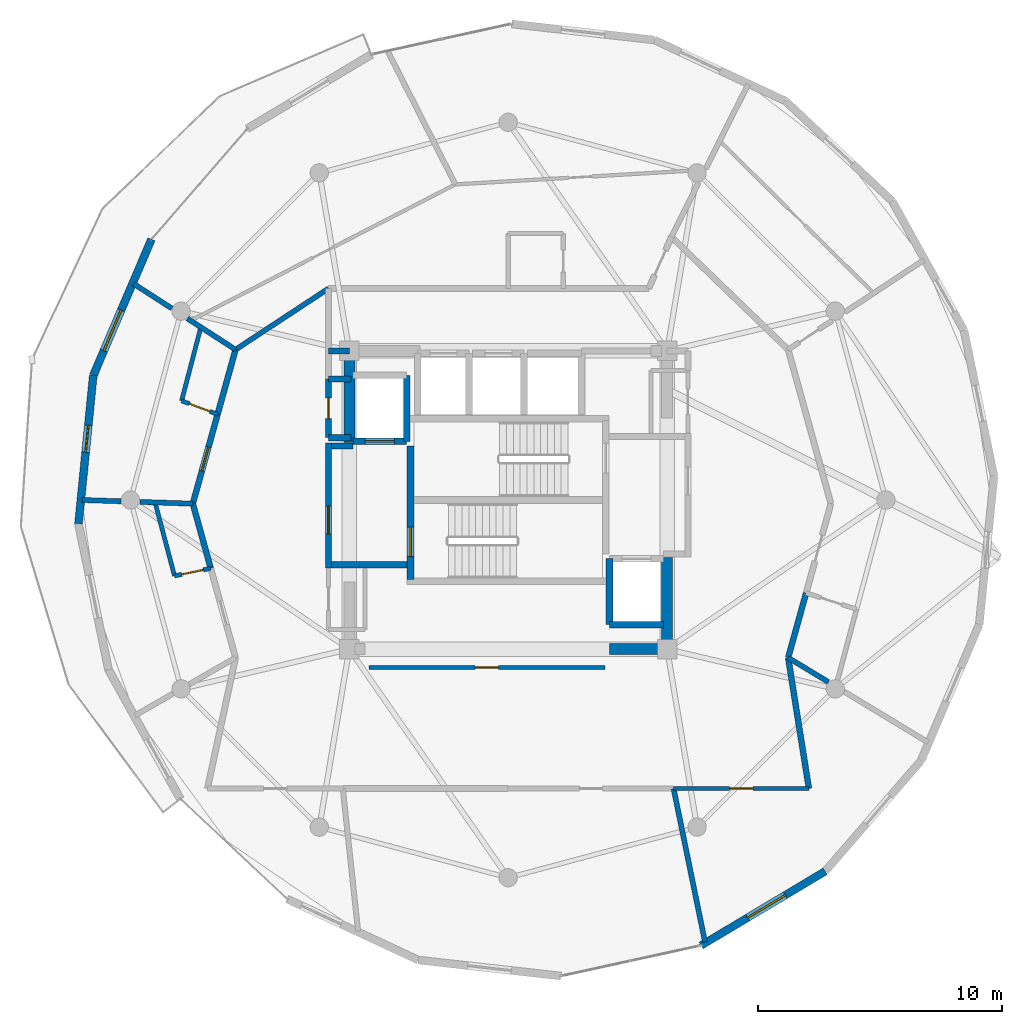
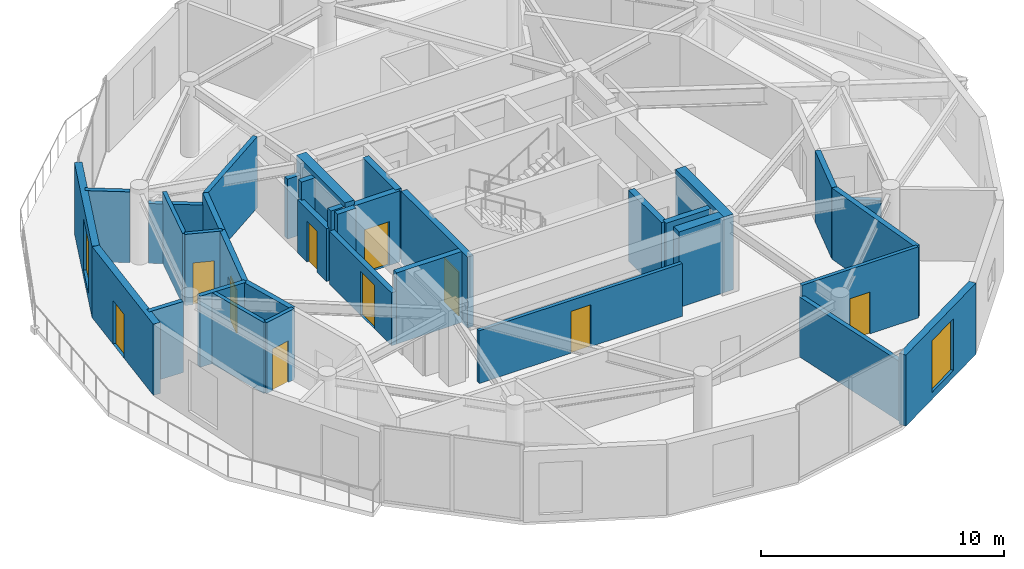
# One storey, part 11 of 15: 36 walls, 10 doors, 2 windows, 12 openings.
"""IFC4 building model written with IfcOpenShell, lengths in metres."""

from ifc_helpers import new_model, si_unit, direction, frame, frame_2d, origin, place, context, subcontext, project, spatial, rectangle, extrude, material, layer, layer_set, type_object, element, fill, save


model = new_model("IFC4")

# Units and contexts
model_context = context("Model", 3, precision=1e-05, world=origin(), true_north=direction((0.0, 1.0)))
body_context = subcontext(model_context, "Body", "Model", "MODEL_VIEW")
ifc_project = project(units=[si_unit("LENGTHUNIT", "METRE"), si_unit("AREAUNIT", "SQUARE_METRE"), si_unit("VOLUMEUNIT", "CUBIC_METRE"), si_unit("PLANEANGLEUNIT", "RADIAN"), si_unit("MASSUNIT", "GRAM", prefix="KILO")], contexts=[model_context])

# Site, building, storey
site_placement = place(None, origin())
site = spatial("IfcSite", under=ifc_project, at=site_placement, CompositionType="ELEMENT")
building_placement = place(site_placement, origin())
building = spatial("IfcBuilding", under=site, at=building_placement, Name="Solvirekh Grand Hotel", CompositionType="ELEMENT")
storey_placement = place(building_placement, frame((0.0, 0.0, 270.60009765625)))
storey = spatial("IfcBuildingStorey", under=building, at=storey_placement, Name="L70", CompositionType="ELEMENT", Elevation=270.60009765625)

# Wall, opening, door
ifc_material_1 = material(Name="Concrete C40/50", Category="concrete")
ifc_layer_1 = layer(ifc_material_1, 0.280029296875)
ifc_layer_set_1 = layer_set([ifc_layer_1], Name="Concrete C40/50")
wall_type_1 = type_object("IfcWallType", Name="CoreShaftWall_RC280", PredefinedType="SOLIDWALL", material=ifc_layer_set_1)
wall_1_placement = place(storey_placement, frame((-6.35009765625, 2.39990234375, 0.0), z_axis=(0.0, 0.0, 1.0), x_axis=(1.0, 0.0, 0.0)))
wall_1 = element("IfcWall", 1, at=wall_1_placement, inside=storey, type_object=wall_type_1, Name="L70 FL-1 hoistway S wall", PredefinedType="SOLIDWALL", context=body_context, shape_type="SweptSolid", body=[
    extrude(rectangle(XDim=2.2001953125, YDim=0.280029296875, at=frame_2d((1.10009765625, 0.0))), origin(), (0.0, 0.0, 1.0), 3.56982421875),
])
opening_1_placement = place(wall_1_placement, frame((0.5, 0.0, 0.0)))
opening_1 = element("IfcOpeningElement", 2, at=opening_1_placement, cuts=wall_1, Name="Opening LD02", PredefinedType="OPENING", context=body_context, shape_type="SweptSolid", body=[
    extrude(rectangle(XDim=1.199951171875, YDim=2.199951171875, at=frame_2d((0.60009765625, 1.10009765625))), frame((0.0, 0.14990234375, 0.0), z_axis=(0.0, -1.0, 0.0), x_axis=(1.0, 0.0, 0.0)), (0.0, 0.0, 1.0), 0.300048828125),
])
ifc_material_2 = material(Name="Fire-Rated Steel Door Assembly", Category="steel")
door_type_1 = type_object("IfcDoorType", Name="Door_LiftFF_1200X2200", OperationType="SLIDING_TO_LEFT", PredefinedType="DOOR", material=ifc_material_2)
door_1_placement = place(opening_1_placement, origin())
door_1 = element("IfcDoor", 3, at=door_1_placement, inside=storey, type_object=door_type_1, Name="L70 FL-1 sliding lift landing door", OperationType="SLIDING_TO_LEFT", OverallHeight=2.199951171875, OverallWidth=1.199951171875, PredefinedType="DOOR", context=body_context, shape_type="SweptSolid", body=[
    extrude(rectangle(XDim=1.199951171875, YDim=2.199951171875, at=frame_2d((0.60009765625, 1.10009765625))), frame((0.0, 0.02490234375, 0.0), z_axis=(0.0, -1.0, 0.0), x_axis=(1.0, 0.0, 0.0)), (0.0, 0.0, 1.0), 0.050048828125),
])
fill(opening_1, door_1)

# Walls
wall_2_placement = place(storey_placement, frame((-4.14990234375, 2.39990234375, 0.0), z_axis=(0.0, 0.0, 1.0), x_axis=(0.0, 1.0, 0.0)))
element("IfcWall", 4, at=wall_2_placement, inside=storey, type_object=wall_type_1, Name="L70 FL-1 hoistway E wall", PredefinedType="SOLIDWALL", context=body_context, shape_type="SweptSolid", body=[
    extrude(rectangle(XDim=2.7001953125, YDim=0.280029296875, at=frame_2d((1.35009765625, 0.0))), origin(), (0.0, 0.0, 1.0), 3.56982421875),
])
wall_3_placement = place(storey_placement, frame((4.14990234375, -5.10009765625, 0.0), z_axis=(0.0, 0.0, 1.0), x_axis=(1.0, 0.0, 0.0)))
element("IfcWall", 5, at=wall_3_placement, inside=storey, type_object=wall_type_1, Name="L70 FL-2 hoistway S wall", PredefinedType="SOLIDWALL", context=body_context, shape_type="SweptSolid", body=[
    extrude(rectangle(XDim=2.2001953125, YDim=0.280029296875, at=frame_2d((1.10009765625, 0.0))), origin(), (0.0, 0.0, 1.0), 3.56982421875),
])
wall_4_placement = place(storey_placement, frame((4.14990234375, -2.39990234375, 0.0), z_axis=(0.0, 0.0, 1.0), x_axis=(0.0, -1.0, 0.0)))
element("IfcWall", 6, at=wall_4_placement, inside=storey, type_object=wall_type_1, Name="L70 FL-2 hoistway W wall", PredefinedType="SOLIDWALL", context=body_context, shape_type="SweptSolid", body=[
    extrude(rectangle(XDim=2.7001953125, YDim=0.280029296875, at=frame_2d((1.35009765625, 0.0))), origin(), (0.0, 0.0, 1.0), 3.56982421875),
])

# Wall, opening, door
wall_5_placement = place(storey_placement, frame((-3.989990234375, -3.25, 0.0), z_axis=(0.0, 0.0, 1.0), x_axis=(0.0, 1.0, 0.0)))
wall_5 = element("IfcWall", 7, at=wall_5_placement, inside=storey, type_object=wall_type_1, Name="L70 west stair landing enclosure wall", PredefinedType="SOLIDWALL", context=body_context, shape_type="SweptSolid", body=[
    extrude(rectangle(XDim=5.4599609375, YDim=0.280029296875, at=frame_2d((2.72998046875, 0.0))), origin(), (0.0, 0.0, 1.0), 3.56982421875),
])
opening_2_placement = place(wall_5_placement, frame((0.93701171875, 0.0, 0.0)))
opening_2 = element("IfcOpeningElement", 8, at=opening_2_placement, cuts=wall_5, Name="Opening D05", PredefinedType="OPENING", context=body_context, shape_type="SweptSolid", body=[
    extrude(rectangle(XDim=1.199951171875, YDim=2.199951171875, at=frame_2d((0.60009765625, 1.10009765625))), frame((0.0, 0.14990234375, 0.0), z_axis=(0.0, -1.0, 0.0), x_axis=(1.0, 0.0, 0.0)), (0.0, 0.0, 1.0), 0.300048828125),
])
door_type_2 = type_object("IfcDoorType", Name="Door_StairCore_1200X2200", OperationType="NOTDEFINED", PredefinedType="DOOR", material=ifc_material_2)
door_2_placement = place(opening_2_placement, origin())
door_2 = element("IfcDoor", 9, at=door_2_placement, inside=storey, type_object=door_type_2, Name="L70 exit stair ST-1 fire door", OperationType="SINGLE_SWING_LEFT", OverallHeight=2.199951171875, OverallWidth=1.199951171875, PredefinedType="DOOR", context=body_context, shape_type="SweptSolid", body=[
    extrude(rectangle(XDim=1.199951171875, YDim=2.199951171875, at=frame_2d((0.60009765625, 1.10009765625))), frame((0.0, 0.02490234375, 0.0), z_axis=(0.0, -1.0, 0.0), x_axis=(1.0, 0.0, 0.0)), (0.0, 0.0, 1.0), 0.050048828125),
])
fill(opening_2, door_2)

# Walls
ifc_material_3 = material(Name="Concrete C50/60", Category="concrete")
ifc_layer_2 = layer(ifc_material_3, 0.449951171875)
ifc_layer_set_2 = layer_set([ifc_layer_2], Name="Concrete C50/60")
wall_type_2 = type_object("IfcWallType", Name="CoreWall_RC450", PredefinedType="SHEAR", material=ifc_layer_set_2)
wall_6_placement = place(storey_placement, frame((4.14990234375, -6.10009765625, 0.0), z_axis=(0.0, 0.0, 1.0), x_axis=(1.0, 0.0, 0.0)))
element("IfcWall", 10, at=wall_6_placement, inside=storey, type_object=wall_type_2, Name="L70 core corner shear wall SE-S", PredefinedType="SHEAR", context=body_context, shape_type="SweptSolid", body=[
    extrude(rectangle(XDim=2.125, YDim=0.449951171875, at=frame_2d((1.0625, 0.0))), origin(), (0.0, 0.0, 1.0), 3.7998046875),
])
for number, where, z_axis, x_axis, name in (
    (11, (-6.5, 2.35009765625, 0.0), (0.0, 0.0, 1.0), (0.0, 1.0, 0.0), "L70 core corner shear wall WN-W"),
    (12, (6.5, -6.324951171875, 0.0), (0.0, 0.0, 1.0), (0.0, 1.0, 0.0), "L70 core corner shear wall ES-E"),
):
    element("IfcWall", number, at=place(storey_placement, frame(where, z_axis=z_axis, x_axis=x_axis)), inside=storey, type_object=wall_type_2, Name=name, PredefinedType="SHEAR", context=body_context, shape_type="SweptSolid", body=[
        extrude(rectangle(XDim=3.974853515625, YDim=0.449951171875, at=frame_2d((1.9873046875, 0.0))), origin(), (0.0, 0.0, 1.0), 3.7998046875),
    ])

# Wall, opening, window
ifc_material_4 = material(Name="Precast concrete C45/55", Category="concrete")
ifc_layer_3 = layer(ifc_material_4, 0.320068359375)
ifc_layer_set_3 = layer_set([ifc_layer_3], Name="Precast concrete C45/55")
wall_type_3 = type_object("IfcWallType", Name="ExtLobbyWall_RC320", PredefinedType="SOLIDWALL", material=ifc_layer_set_3)
wall_7_placement = place(storey_placement, frame((12.970947265625, -15.18603515625, 0.0), z_axis=(0.0, 0.0, 1.0), x_axis=(-0.858256729209, -0.513220602439, 0.0)))
wall_7 = element("IfcWall", 13, at=wall_7_placement, inside=storey, type_object=wall_type_3, Name="L70 exterior structural wall chord 2", PredefinedType="SOLIDWALL", context=body_context, shape_type="SweptSolid", body=[
    extrude(rectangle(XDim=5.915283203125, YDim=0.320068359375, at=frame_2d((2.95751953125, 0.0))), origin(), (0.0, 0.0, 1.0), 3.56982421875),
])
opening_3_placement = place(wall_7_placement, frame((1.904052734375, 0.0, 0.35009765625)))
opening_3 = element("IfcOpeningElement", 14, at=opening_3_placement, cuts=wall_7, Name="Opening W02", PredefinedType="OPENING", context=body_context, shape_type="SweptSolid", body=[
    extrude(rectangle(XDim=1.800048828125, YDim=2.60009765625, at=frame_2d((0.89990234375, 1.300048828125))), frame((0.0, 0.169921875, 0.0), z_axis=(0.0, -1.0, 0.0), x_axis=(1.0, 0.0, 0.0)), (0.0, 0.0, 1.0), 0.340087890625),
])
ifc_material_5 = material(Name="Low-E Tinted Bronze Laminated Glass", Category="aluminium")
window_type = type_object("IfcWindowType", Name="Win_LobbyExt_1800X2600", PartitioningType="SINGLE_PANEL", PredefinedType="WINDOW", material=ifc_material_5)
window_1_placement = place(opening_3_placement, origin())
window_1 = element("IfcWindow", 15, at=window_1_placement, inside=storey, type_object=window_type, Name="L70 panoramic bronze-framed window 2", OverallHeight=2.60009765625, OverallWidth=1.800048828125, PartitioningType="SINGLE_PANEL", PredefinedType="WINDOW", context=body_context, shape_type="SweptSolid", body=[
    extrude(rectangle(XDim=1.800048828125, YDim=2.60009765625, at=frame_2d((0.89990234375, 1.300048828125))), frame((0.0, 0.030029296875, 0.0), z_axis=(0.0, -1.0, 0.0), x_axis=(1.0, 0.0, 0.0)), (0.0, 0.0, 1.0), 0.06005859375),
])
fill(opening_3, window_1)

wall_8_placement = place(storey_placement, frame((-16.969970703125, 5.096923828125, 0.0), z_axis=(0.0, 0.0, 1.0), x_axis=(0.392999104836, 0.919538853773, 0.0)))
wall_8 = element("IfcWall", 16, at=wall_8_placement, inside=storey, type_object=wall_type_3, Name="L70 exterior structural wall chord 14", PredefinedType="SOLIDWALL", context=body_context, shape_type="SweptSolid", body=[
    extrude(rectangle(XDim=6.05322265625, YDim=0.320068359375, at=frame_2d((3.026611328125, 0.0))), origin(), (0.0, 0.0, 1.0), 3.56982421875),
])
opening_4_placement = place(wall_8_placement, frame((1.097900390625, 0.0, 0.35009765625)))
opening_4 = element("IfcOpeningElement", 17, at=opening_4_placement, cuts=wall_8, Name="Opening W02", PredefinedType="OPENING", context=body_context, shape_type="SweptSolid", body=[
    extrude(rectangle(XDim=1.800048828125, YDim=2.60009765625, at=frame_2d((0.89990234375, 1.300048828125))), frame((0.0, 0.169921875, 0.0), z_axis=(0.0, -1.0, 0.0), x_axis=(1.0, 0.0, 0.0)), (0.0, 0.0, 1.0), 0.340087890625),
])
window_2_placement = place(opening_4_placement, origin())
window_2 = element("IfcWindow", 18, at=window_2_placement, inside=storey, type_object=window_type, Name="L70 panoramic bronze-framed window 14", OverallHeight=2.60009765625, OverallWidth=1.800048828125, PartitioningType="SINGLE_PANEL", PredefinedType="WINDOW", context=body_context, shape_type="SweptSolid", body=[
    extrude(rectangle(XDim=1.800048828125, YDim=2.60009765625, at=frame_2d((0.89990234375, 1.300048828125))), frame((0.0, 0.030029296875, 0.0), z_axis=(0.0, -1.0, 0.0), x_axis=(1.0, 0.0, 0.0)), (0.0, 0.0, 1.0), 0.06005859375),
])
fill(opening_4, window_2)

# Wall, opening, door
wall_9_placement = place(storey_placement, frame((-17.574951171875, -0.968017578125, 0.0), z_axis=(0.0, 0.0, 1.0), x_axis=(0.09925782999, 0.995061748429, 0.0)))
wall_9 = element("IfcWall", 19, at=wall_9_placement, inside=storey, type_object=wall_type_3, Name="L70 exterior structural wall chord 15", PredefinedType="SOLIDWALL", context=body_context, shape_type="SweptSolid", body=[
    extrude(rectangle(XDim=6.094970703125, YDim=0.320068359375, at=frame_2d((3.04736328125, 0.0))), origin(), (0.0, 0.0, 1.0), 3.56982421875),
])
opening_5_placement = place(wall_9_placement, frame((2.93603515625, 0.0, 0.0)))
opening_5 = element("IfcOpeningElement", 20, at=opening_5_placement, cuts=wall_9, Name="Opening D03", PredefinedType="OPENING", context=body_context, shape_type="SweptSolid", body=[
    extrude(rectangle(XDim=1.10009765625, YDim=2.199951171875, at=frame_2d((0.550048828125, 1.10009765625))), frame((0.0, 0.169921875, 0.0), z_axis=(0.0, -1.0, 0.0), x_axis=(1.0, 0.0, 0.0)), (0.0, 0.0, 1.0), 0.340087890625),
])
ifc_material_6 = material(Name="Anodized Bronze Aluminium 6063-T6", Category="aluminium")
door_type_3 = type_object("IfcDoorType", Name="Door_ExtBalcony_1100X2200", OperationType="NOTDEFINED", PredefinedType="DOOR", material=ifc_material_6)
door_3_placement = place(opening_5_placement, origin())
door_3 = element("IfcDoor", 21, at=door_3_placement, inside=storey, type_object=door_type_3, Name="L70 Crescent balcony glazed door (15)", OperationType="SINGLE_SWING_RIGHT", OverallHeight=2.199951171875, OverallWidth=1.10009765625, PredefinedType="DOOR", context=body_context, shape_type="SweptSolid", body=[
    extrude(rectangle(XDim=1.10009765625, YDim=2.199951171875, at=frame_2d((0.550048828125, 1.10009765625))), frame((0.0, 0.02490234375, 0.0), z_axis=(0.0, -1.0, 0.0), x_axis=(1.0, 0.0, 0.0)), (0.0, 0.0, 1.0), 0.050048828125),
])
fill(opening_5, door_3)

ifc_material_7 = material(Name="Acoustic Gypsum Partition Assembly")
ifc_layer_4 = layer(ifc_material_7, 0.1650390625)
ifc_layer_set_4 = layer_set([ifc_layer_4], Name="Acoustic Gypsum Partition Assembly")
wall_type_4 = type_object("IfcWallType", Name="Part_BOH_165", PredefinedType="PARTITIONING", material=ifc_layer_set_4)
wall_10_placement = place(storey_placement, frame((-5.699951171875, -6.85009765625, 0.0), z_axis=(0.0, 0.0, 1.0), x_axis=(1.0, 0.0, 0.0)))
wall_10 = element("IfcWall", 22, at=wall_10_placement, inside=storey, type_object=wall_type_4, Name="L70 Housekeeping & Linen Store wall 1", PredefinedType="PARTITIONING", context=body_context, shape_type="SweptSolid", body=[
    extrude(rectangle(XDim=9.64990234375, YDim=0.1650390625, at=frame_2d((4.824951171875, 0.0))), origin(), (0.0, 0.0, 1.0), 2.65478515625),
])
opening_6_placement = place(wall_10_placement, frame((4.35009765625, 0.0, 0.0)))
opening_6 = element("IfcOpeningElement", 23, at=opening_6_placement, cuts=wall_10, Name="Opening D10", PredefinedType="OPENING", context=body_context, shape_type="SweptSolid", body=[
    extrude(rectangle(XDim=0.949951171875, YDim=2.10009765625, at=frame_2d((0.47509765625, 1.050048828125))), frame((0.0, 0.092529296875, 0.0), z_axis=(0.0, -1.0, 0.0), x_axis=(1.0, 0.0, 0.0)), (0.0, 0.0, 1.0), 0.18505859375),
])
door_type_4 = type_object("IfcDoorType", Name="Door_RoomInt_950X2100", OperationType="NOTDEFINED", PredefinedType="DOOR", material=ifc_material_6)
door_4_placement = place(opening_6_placement, origin())
door_4 = element("IfcDoor", 24, at=door_4_placement, inside=storey, type_object=door_type_4, Name="L70 Housekeeping & Linen Store door", OperationType="SINGLE_SWING_RIGHT", OverallHeight=2.10009765625, OverallWidth=0.949951171875, PredefinedType="DOOR", context=body_context, shape_type="SweptSolid", body=[
    extrude(rectangle(XDim=0.949951171875, YDim=2.10009765625, at=frame_2d((0.47509765625, 1.050048828125))), frame((0.0, 0.02490234375, 0.0), z_axis=(0.0, -1.0, 0.0), x_axis=(1.0, 0.0, 0.0)), (0.0, 0.0, 1.0), 0.050048828125),
])
fill(opening_6, door_4)

wall_11_placement = place(storey_placement, frame((6.764892578125, -11.800048828125, 0.0), z_axis=(0.0, 0.0, 1.0), x_axis=(1.0, 0.0, 0.0)))
wall_11 = element("IfcWall", 25, at=wall_11_placement, inside=storey, type_object=wall_type_4, Name="L70 L70 Butler Valet & Linen Steward Room entrance wall", PredefinedType="PARTITIONING", context=body_context, shape_type="SweptSolid", body=[
    extrude(rectangle(XDim=5.53515625, YDim=0.1650390625, at=frame_2d((2.767578125, 0.0))), origin(), (0.0, 0.0, 1.0), 3.56982421875),
])
opening_7_placement = place(wall_11_placement, frame((2.29296875, 0.0, 0.0)))
opening_7 = element("IfcOpeningElement", 26, at=opening_7_placement, cuts=wall_11, Name="Opening D10", PredefinedType="OPENING", context=body_context, shape_type="SweptSolid", body=[
    extrude(rectangle(XDim=0.949951171875, YDim=2.10009765625, at=frame_2d((0.47509765625, 1.050048828125))), frame((0.0, 0.092529296875, 0.0), z_axis=(0.0, -1.0, 0.0), x_axis=(1.0, 0.0, 0.0)), (0.0, 0.0, 1.0), 0.18505859375),
])
door_5_placement = place(opening_7_placement, origin())
door_5 = element("IfcDoor", 27, at=door_5_placement, inside=storey, type_object=door_type_4, Name="L70 L70 Butler Valet & Linen Steward Room entrance door", OperationType="SINGLE_SWING_LEFT", OverallHeight=2.10009765625, OverallWidth=0.949951171875, PredefinedType="DOOR", context=body_context, shape_type="SweptSolid", body=[
    extrude(rectangle(XDim=0.949951171875, YDim=2.10009765625, at=frame_2d((0.47509765625, 1.050048828125))), frame((0.0, 0.02490234375, 0.0), z_axis=(0.0, -1.0, 0.0), x_axis=(1.0, 0.0, 0.0)), (0.0, 0.0, 1.0), 0.050048828125),
])
fill(opening_7, door_5)

ifc_layer_5 = layer(ifc_material_7, 0.239990234375)
ifc_layer_set_5 = layer_set([ifc_layer_5], Name="Acoustic Gypsum Partition Assembly")
wall_type_5 = type_object("IfcWallType", Name="Part_Corridor_240", PredefinedType="PARTITIONING", material=ifc_layer_set_5)
wall_12_placement = place(storey_placement, frame((-7.35009765625, -2.780029296875, 0.0), z_axis=(0.0, 0.0, 1.0), x_axis=(0.0, 1.0, 0.0)))
wall_12 = element("IfcWall", 28, at=wall_12_placement, inside=storey, type_object=wall_type_5, Name="L70 west firefighting lobby smoke screen wall", PredefinedType="PARTITIONING", context=body_context, shape_type="SweptSolid", body=[
    extrude(rectangle(XDim=5.1201171875, YDim=0.239990234375, at=frame_2d((2.56005859375, 0.0))), origin(), (0.0, 0.0, 1.0), 2.65478515625),
])
opening_8_placement = place(wall_12_placement, frame((1.388916015625, 0.0, 0.0)))
opening_8 = element("IfcOpeningElement", 29, at=opening_8_placement, cuts=wall_12, Name="Opening D06", PredefinedType="OPENING", context=body_context, shape_type="SweptSolid", body=[
    extrude(rectangle(XDim=1.14990234375, YDim=2.199951171875, at=frame_2d((0.574951171875, 1.10009765625))), frame((0.0, 0.1298828125, 0.0), z_axis=(0.0, -1.0, 0.0), x_axis=(1.0, 0.0, 0.0)), (0.0, 0.0, 1.0), 0.260009765625),
])
door_type_5 = type_object("IfcDoorType", Name="Door_FFLobby_1150X2200", OperationType="NOTDEFINED", PredefinedType="DOOR", material=ifc_material_2)
door_6_placement = place(opening_8_placement, origin())
door_6 = element("IfcDoor", 30, at=door_6_placement, inside=storey, type_object=door_type_5, Name="L70 west firefighting lobby smoke door", OperationType="SINGLE_SWING_LEFT", OverallHeight=2.199951171875, OverallWidth=1.14990234375, PredefinedType="DOOR", context=body_context, shape_type="SweptSolid", body=[
    extrude(rectangle(XDim=1.14990234375, YDim=2.199951171875, at=frame_2d((0.574951171875, 1.10009765625))), frame((0.0, 0.02490234375, 0.0), z_axis=(0.0, -1.0, 0.0), x_axis=(1.0, 0.0, 0.0)), (0.0, 0.0, 1.0), 0.050048828125),
])
fill(opening_8, door_6)

# Walls
wall_13_placement = place(storey_placement, frame((-7.35009765625, 6.10009765625, 0.0), z_axis=(0.0, 0.0, 1.0), x_axis=(1.0, 0.0, 0.0)))
element("IfcWall", 31, at=wall_13_placement, inside=storey, type_object=wall_type_5, Name="L70 NW core corner closure wall", PredefinedType="PARTITIONING", context=body_context, shape_type="SweptSolid", body=[
    extrude(rectangle(XDim=0.85009765625, YDim=0.239990234375, at=frame_2d((0.425048828125, 0.0))), origin(), (0.0, 0.0, 1.0), 3.010986328125),
])
wall_14_placement = place(storey_placement, frame((-11.152099609375, 6.14990234375, 0.0), z_axis=(0.0, 0.0, 1.0), x_axis=(-0.267267816759, -0.963622288101, 0.0)))
element("IfcWall", 32, at=wall_14_placement, inside=storey, type_object=wall_type_5, Name="L70 En-suite Bathroom 7202 corridor backing wall", PredefinedType="PARTITIONING", context=body_context, shape_type="SweptSolid", body=[
    extrude(rectangle(XDim=2.745849609375, YDim=0.239990234375, at=frame_2d((1.373046875, 0.0))), origin(), (0.0, 0.0, 1.0), 3.56982421875),
])

# Wall, opening, door
wall_15_placement = place(storey_placement, frame((-11.885986328125, 3.50390625, 0.0), z_axis=(0.0, 0.0, 1.0), x_axis=(-0.267391479621, -0.96358798074, 0.0)))
wall_15 = element("IfcWall", 33, at=wall_15_placement, inside=storey, type_object=wall_type_5, Name="L70 Deluxe Guestroom 7202 entrance wall", PredefinedType="PARTITIONING", context=body_context, shape_type="SweptSolid", body=[
    extrude(rectangle(XDim=3.7919921875, YDim=0.239990234375, at=frame_2d((1.89599609375, 0.0))), origin(), (0.0, 0.0, 1.0), 3.56982421875),
])
opening_9_placement = place(wall_15_placement, frame((1.39599609375, 0.0, 0.0)))
opening_9 = element("IfcOpeningElement", 34, at=opening_9_placement, cuts=wall_15, Name="Opening D07", PredefinedType="OPENING", context=body_context, shape_type="SweptSolid", body=[
    extrude(rectangle(XDim=1.0, YDim=2.199951171875, at=frame_2d((0.5, 1.10009765625))), frame((0.0, 0.1298828125, 0.0), z_axis=(0.0, -1.0, 0.0), x_axis=(1.0, 0.0, 0.0)), (0.0, 0.0, 1.0), 0.260009765625),
])
door_type_6 = type_object("IfcDoorType", Name="Door_GuestEntry_1000X2200", OperationType="NOTDEFINED", PredefinedType="DOOR", material=ifc_material_2)
door_7_placement = place(opening_9_placement, origin())
door_7 = element("IfcDoor", 35, at=door_7_placement, inside=storey, type_object=door_type_6, Name="L70 Deluxe Guestroom 7202 entrance door", OperationType="SINGLE_SWING_RIGHT", OverallHeight=2.199951171875, OverallWidth=1.0, PredefinedType="DOOR", context=body_context, shape_type="SweptSolid", body=[
    extrude(rectangle(XDim=1.0, YDim=2.199951171875, at=frame_2d((0.5, 1.10009765625))), frame((0.0, 0.02490234375, 0.0), z_axis=(0.0, -1.0, 0.0), x_axis=(1.0, 0.0, 0.0)), (0.0, 0.0, 1.0), 0.050048828125),
])
fill(opening_9, door_7)

# Walls
for number, where, z_axis, x_axis, name in (
    (36, (-12.89990234375, -0.14990234375, 0.0), (0.0, 0.0, 1.0), (0.267267816759, -0.963622288101, 0.0), "L70 En-suite Bathroom 7203 corridor backing wall"),
    (37, (11.451904296875, -6.449951171875, 0.0), (0.0, 0.0, 1.0), (0.267350374135, 0.963599386389, 0.0), "L70 En-suite Bathroom 7204 corridor backing wall"),
):
    element("IfcWall", number, at=place(storey_placement, frame(where, z_axis=z_axis, x_axis=x_axis)), inside=storey, type_object=wall_type_5, Name=name, PredefinedType="PARTITIONING", context=body_context, shape_type="SweptSolid", body=[
        extrude(rectangle(XDim=2.745849609375, YDim=0.239990234375, at=frame_2d((1.373046875, 0.0))), origin(), (0.0, 0.0, 1.0), 3.56982421875),
    ])
wall_16_placement = place(storey_placement, frame((12.300048828125, -11.800048828125, 0.0), z_axis=(0.0, 0.0, 1.0), x_axis=(-0.156573548098, 0.987666301964, 0.0)))
element("IfcWall", 38, at=wall_16_placement, inside=storey, type_object=wall_type_5, Name="L70 L70 Butler Valet & Linen Steward Room corridor wall 1", PredefinedType="PARTITIONING", context=body_context, shape_type="SweptSolid", body=[
    extrude(rectangle(XDim=5.4169921875, YDim=0.239990234375, at=frame_2d((2.70849609375, 0.0))), origin(), (0.0, 0.0, 1.0), 3.56982421875),
])
ifc_layer_6 = layer(ifc_material_7, 0.260009765625)
ifc_layer_set_6 = layer_set([ifc_layer_6], Name="Acoustic Gypsum Partition Assembly")
wall_type_6 = type_object("IfcWallType", Name="Part_LobbyFF_260", PredefinedType="PARTITIONING", material=ifc_layer_set_6)
wall_17_placement = place(storey_placement, frame((-7.22509765625, -2.64990234375, 0.0), z_axis=(0.0, 0.0, 1.0), x_axis=(1.0, 0.0, 0.0)))
element("IfcWall", 39, at=wall_17_placement, inside=storey, type_object=wall_type_6, Name="L70 west firefighting lobby south partition", PredefinedType="PARTITIONING", context=body_context, shape_type="SweptSolid", body=[
    extrude(rectangle(XDim=3.09521484375, YDim=0.260009765625, at=frame_2d((1.547607421875, 0.0))), origin(), (0.0, 0.0, 1.0), 3.56982421875),
])
wall_18_placement = place(storey_placement, frame((-7.22509765625, 2.2099609375, 0.0), z_axis=(0.0, 0.0, 1.0), x_axis=(1.0, 0.0, 0.0)))
element("IfcWall", 40, at=wall_18_placement, inside=storey, type_object=wall_type_6, Name="L70 west firefighting lobby NW cheek", PredefinedType="PARTITIONING", context=body_context, shape_type="SweptSolid", body=[
    extrude(rectangle(XDim=0.875, YDim=0.260009765625, at=frame_2d((0.4375, 0.0))), origin(), (0.0, 0.0, 1.0), 3.56982421875),
])
for number, where, z_axis, x_axis, name in (
    (41, (-7.35009765625, 4.949951171875, 0.0), (0.0, 0.0, 1.0), (1.0, 0.0, 0.0), "L70 NW telecom metering cupboard north wall"),
    (42, (-7.35009765625, 2.550048828125, 0.0), (0.0, 0.0, 1.0), (1.0, 0.0, 0.0), "L70 NW telecom metering cupboard south wall"),
):
    element("IfcWall", number, at=place(storey_placement, frame(where, z_axis=z_axis, x_axis=x_axis)), inside=storey, type_object=wall_type_6, Name=name, PredefinedType="PARTITIONING", context=body_context, shape_type="SweptSolid", body=[
        extrude(rectangle(XDim=0.93017578125, YDim=0.260009765625, at=frame_2d((0.465087890625, 0.0))), origin(), (0.0, 0.0, 1.0), 3.56982421875),
    ])

# Wall, opening, door
wall_19_placement = place(storey_placement, frame((-7.35009765625, 2.550048828125, 0.0), z_axis=(0.0, 0.0, 1.0), x_axis=(0.0, 1.0, 0.0)))
wall_19 = element("IfcWall", 43, at=wall_19_placement, inside=storey, type_object=wall_type_6, Name="L70 NW telecom metering cupboard access wall", PredefinedType="PARTITIONING", context=body_context, shape_type="SweptSolid", body=[
    extrude(rectangle(XDim=2.39990234375, YDim=0.260009765625, at=frame_2d((1.199951171875, 0.0))), origin(), (0.0, 0.0, 1.0), 2.65478515625),
])
opening_10_placement = place(wall_19_placement, frame((0.77490234375, 0.0, 0.0)))
opening_10 = element("IfcOpeningElement", 44, at=opening_10_placement, cuts=wall_19, Name="Opening D13", PredefinedType="OPENING", context=body_context, shape_type="SweptSolid", body=[
    extrude(rectangle(XDim=0.85009765625, YDim=2.050048828125, at=frame_2d((0.425048828125, 1.02490234375))), frame((0.0, 0.14013671875, 0.0), z_axis=(0.0, -1.0, 0.0), x_axis=(1.0, 0.0, 0.0)), (0.0, 0.0, 1.0), 0.280029296875),
])
door_type_7 = type_object("IfcDoorType", Name="Door_RiserShaft_850X2050", OperationType="NOTDEFINED", PredefinedType="DOOR", material=ifc_material_2)
door_8_placement = place(opening_10_placement, origin())
door_8 = element("IfcDoor", 45, at=door_8_placement, inside=storey, type_object=door_type_7, Name="L70 telecom metering cupboard access door", OperationType="SINGLE_SWING_LEFT", OverallHeight=2.050048828125, OverallWidth=0.85009765625, PredefinedType="DOOR", context=body_context, shape_type="SweptSolid", body=[
    extrude(rectangle(XDim=0.85009765625, YDim=2.050048828125, at=frame_2d((0.425048828125, 1.02490234375))), frame((0.0, 0.02490234375, 0.0), z_axis=(0.0, -1.0, 0.0), x_axis=(1.0, 0.0, 0.0)), (0.0, 0.0, 1.0), 0.050048828125),
])
fill(opening_10, door_8)

# Walls
ifc_layer_7 = layer(ifc_material_7, 0.2099609375)
ifc_layer_set_7 = layer_set([ifc_layer_7], Name="Acoustic Gypsum Partition Assembly")
wall_type_7 = type_object("IfcWallType", Name="Part_SuiteDemise_210", PredefinedType="PARTITIONING", material=ifc_layer_set_7)
wall_20_placement = place(storey_placement, frame((-11.152099609375, 6.14990234375, 0.0), z_axis=(0.0, 0.0, 1.0), x_axis=(-0.83972632371, 0.54300985375, 0.0)))
element("IfcWall", 46, at=wall_20_placement, inside=storey, type_object=wall_type_7, Name="L70 suite radial wall 6 (A)", PredefinedType="PARTITIONING", context=body_context, shape_type="SweptSolid", body=[
    extrude(rectangle(XDim=2.348388671875, YDim=0.2099609375, at=frame_2d((1.17431640625, 0.0))), origin(), (0.0, 0.0, 1.0), 3.010986328125),
])
wall_21_placement = place(storey_placement, frame((-13.759033203125, 7.8349609375, 0.0), z_axis=(0.0, 0.0, 1.0), x_axis=(-0.83972828355, 0.543006822982, 0.0)))
element("IfcWall", 47, at=wall_21_placement, inside=storey, type_object=wall_type_7, Name="L70 suite radial wall 6 (B)", PredefinedType="PARTITIONING", context=body_context, shape_type="SweptSolid", body=[
    extrude(rectangle(XDim=1.863525390625, YDim=0.2099609375, at=frame_2d((0.931640625, 0.0))), origin(), (0.0, 0.0, 1.0), 3.56982421875),
])
wall_22_placement = place(storey_placement, frame((-12.89990234375, -0.14990234375, 0.0), z_axis=(0.0, 0.0, 1.0), x_axis=(-0.999464758513, 0.032713857784, 0.0)))
element("IfcWall", 48, at=wall_22_placement, inside=storey, type_object=wall_type_7, Name="L70 suite radial wall 7 (A)", PredefinedType="PARTITIONING", context=body_context, shape_type="SweptSolid", body=[
    extrude(rectangle(XDim=2.164306640625, YDim=0.2099609375, at=frame_2d((1.08203125, 0.0))), origin(), (0.0, 0.0, 1.0), 3.56982421875),
])
wall_23_placement = place(storey_placement, frame((-15.841064453125, -0.052978515625, 0.0), z_axis=(0.0, 0.0, 1.0), x_axis=(-0.999450151728, 0.033157114038, 0.0)))
element("IfcWall", 49, at=wall_23_placement, inside=storey, type_object=wall_type_7, Name="L70 suite radial wall 7 (B)", PredefinedType="PARTITIONING", context=body_context, shape_type="SweptSolid", body=[
    extrude(rectangle(XDim=1.597900390625, YDim=0.2099609375, at=frame_2d((0.798828125, 0.0))), origin(), (0.0, 0.0, 1.0), 3.56982421875),
])
wall_24_placement = place(storey_placement, frame((11.451904296875, -6.449951171875, 0.0), z_axis=(0.0, 0.0, 1.0), x_axis=(0.85548381957, -0.517829541889, 0.0)))
element("IfcWall", 50, at=wall_24_placement, inside=storey, type_object=wall_type_7, Name="L70 suite radial wall 12 (A)", PredefinedType="PARTITIONING", context=body_context, shape_type="SweptSolid", body=[
    extrude(rectangle(XDim=1.925537109375, YDim=0.2099609375, at=frame_2d((0.962890625, 0.0))), origin(), (0.0, 0.0, 1.0), 3.010986328125),
])
wall_25_placement = place(storey_placement, frame((-11.152099609375, 6.14990234375, 0.0), z_axis=(0.0, 0.0, 1.0), x_axis=(0.835549960432, 0.549414473437, 0.0)))
element("IfcWall", 51, at=wall_25_placement, inside=storey, type_object=wall_type_7, Name="L70 Panorama Suite 7201 Inner Suite Lounge dividing partition 1", PredefinedType="PARTITIONING", context=body_context, shape_type="SweptSolid", body=[
    extrude(rectangle(XDim=4.55029296875, YDim=0.2099609375, at=frame_2d((2.275146484375, 0.0))), origin(), (0.0, 0.0, 1.0), 3.56982421875),
])
wall_26_placement = place(storey_placement, frame((6.764892578125, -11.800048828125, 0.0), z_axis=(0.0, 0.0, 1.0), x_axis=(0.200573143294, -0.979678730089, 0.0)))
element("IfcWall", 52, at=wall_26_placement, inside=storey, type_object=wall_type_7, Name="L70 L70 Riverfront Reading Lounge dividing partition 1", PredefinedType="PARTITIONING", context=body_context, shape_type="SweptSolid", body=[
    extrude(rectangle(XDim=6.412353515625, YDim=0.2099609375, at=frame_2d((3.2060546875, 0.0))), origin(), (0.0, 0.0, 1.0), 3.010986328125),
])
ifc_layer_8 = layer(ifc_material_7, 0.175048828125)
ifc_layer_set_8 = layer_set([ifc_layer_8], Name="Acoustic Gypsum Partition Assembly")
wall_type_8 = type_object("IfcWallType", Name="Plumb_Ensuite_175", PredefinedType="PLUMBINGWALL", material=ifc_layer_set_8)
wall_27_placement = place(storey_placement, frame((-12.570068359375, 7.06689453125, 0.0), z_axis=(0.0, 0.0, 1.0), x_axis=(-0.25291700501, -0.967487978518, 0.0)))
element("IfcWall", 53, at=wall_27_placement, inside=storey, type_object=wall_type_8, Name="L70 En-suite Bathroom 7202 outer plumbing wall", PredefinedType="PLUMBINGWALL", context=body_context, shape_type="SweptSolid", body=[
    extrude(rectangle(XDim=3.111083984375, YDim=0.175048828125, at=frame_2d((1.5556640625, 0.0))), origin(), (0.0, 0.0, 1.0), 3.56982421875),
])

# Wall, opening, door
wall_28_placement = place(storey_placement, frame((-11.885986328125, 3.50390625, 0.0), z_axis=(0.0, 0.0, 1.0), x_axis=(-0.936041555274, 0.351889480945, 0.0)))
wall_28 = element("IfcWall", 54, at=wall_28_placement, inside=storey, type_object=wall_type_8, Name="L70 En-suite Bathroom 7202 entry plumbing wall", PredefinedType="PLUMBINGWALL", context=body_context, shape_type="SweptSolid", body=[
    extrude(rectangle(XDim=1.571533203125, YDim=0.175048828125, at=frame_2d((0.78564453125, 0.0))), origin(), (0.0, 0.0, 1.0), 3.56982421875),
])
opening_11_placement = place(wall_28_placement, frame((0.3359375, 0.0, 0.0)))
opening_11 = element("IfcOpeningElement", 55, at=opening_11_placement, cuts=wall_28, Name="Opening D09", PredefinedType="OPENING", context=body_context, shape_type="SweptSolid", body=[
    extrude(rectangle(XDim=0.89990234375, YDim=2.10009765625, at=frame_2d((0.449951171875, 1.050048828125))), frame((0.0, 0.09765625, 0.0), z_axis=(0.0, -1.0, 0.0), x_axis=(1.0, 0.0, 0.0)), (0.0, 0.0, 1.0), 0.195068359375),
])
door_type_8 = type_object("IfcDoorType", Name="Door_Ensuite_900X2100", OperationType="NOTDEFINED", PredefinedType="DOOR", material=ifc_material_6)
door_9_placement = place(opening_11_placement, origin())
door_9 = element("IfcDoor", 56, at=door_9_placement, inside=storey, type_object=door_type_8, Name="L70 En-suite Bathroom 7202 door", OperationType="SINGLE_SWING_LEFT", OverallHeight=2.10009765625, OverallWidth=0.89990234375, PredefinedType="DOOR", context=body_context, shape_type="SweptSolid", body=[
    extrude(rectangle(XDim=0.89990234375, YDim=2.10009765625, at=frame_2d((0.449951171875, 1.050048828125))), frame((0.0, 0.02490234375, 0.0), z_axis=(0.0, -1.0, 0.0), x_axis=(1.0, 0.0, 0.0)), (0.0, 0.0, 1.0), 0.050048828125),
])
fill(opening_11, door_9)

# Wall
wall_29_placement = place(storey_placement, frame((-14.443115234375, -0.09912109375, 0.0), z_axis=(0.0, 0.0, 1.0), x_axis=(0.255819158331, -0.966724654817, 0.0)))
element("IfcWall", 57, at=wall_29_placement, inside=storey, type_object=wall_type_8, Name="L70 En-suite Bathroom 7203 outer plumbing wall", PredefinedType="PLUMBINGWALL", context=body_context, shape_type="SweptSolid", body=[
    extrude(rectangle(XDim=3.1083984375, YDim=0.175048828125, at=frame_2d((1.55419921875, 0.0))), origin(), (0.0, 0.0, 1.0), 3.56982421875),
])

# Wall, opening, door
wall_30_placement = place(storey_placement, frame((-12.166015625, -2.7958984375, 0.0), z_axis=(0.0, 0.0, 1.0), x_axis=(-0.97906353562, -0.203554889943, 0.0)))
wall_30 = element("IfcWall", 58, at=wall_30_placement, inside=storey, type_object=wall_type_8, Name="L70 En-suite Bathroom 7203 entry plumbing wall", PredefinedType="PLUMBINGWALL", context=body_context, shape_type="SweptSolid", body=[
    extrude(rectangle(XDim=1.513671875, YDim=0.175048828125, at=frame_2d((0.7568359375, 0.0))), origin(), (0.0, 0.0, 1.0), 3.56982421875),
])
opening_12_placement = place(wall_30_placement, frame((0.306884765625, 0.0, 0.0)))
opening_12 = element("IfcOpeningElement", 59, at=opening_12_placement, cuts=wall_30, Name="Opening D09", PredefinedType="OPENING", context=body_context, shape_type="SweptSolid", body=[
    extrude(rectangle(XDim=0.89990234375, YDim=2.10009765625, at=frame_2d((0.449951171875, 1.050048828125))), frame((0.0, 0.09765625, 0.0), z_axis=(0.0, -1.0, 0.0), x_axis=(1.0, 0.0, 0.0)), (0.0, 0.0, 1.0), 0.195068359375),
])
door_10_placement = place(opening_12_placement, origin())
door_10 = element("IfcDoor", 60, at=door_10_placement, inside=storey, type_object=door_type_8, Name="L70 En-suite Bathroom 7203 door", OperationType="SINGLE_SWING_LEFT", OverallHeight=2.10009765625, OverallWidth=0.89990234375, PredefinedType="DOOR", context=body_context, shape_type="SweptSolid", body=[
    extrude(rectangle(XDim=0.89990234375, YDim=2.10009765625, at=frame_2d((0.449951171875, 1.050048828125))), frame((0.0, 0.02490234375, 0.0), z_axis=(0.0, -1.0, 0.0), x_axis=(1.0, 0.0, 0.0)), (0.0, 0.0, 1.0), 0.050048828125),
])
fill(opening_12, door_10)

save(model, "model.ifc")
